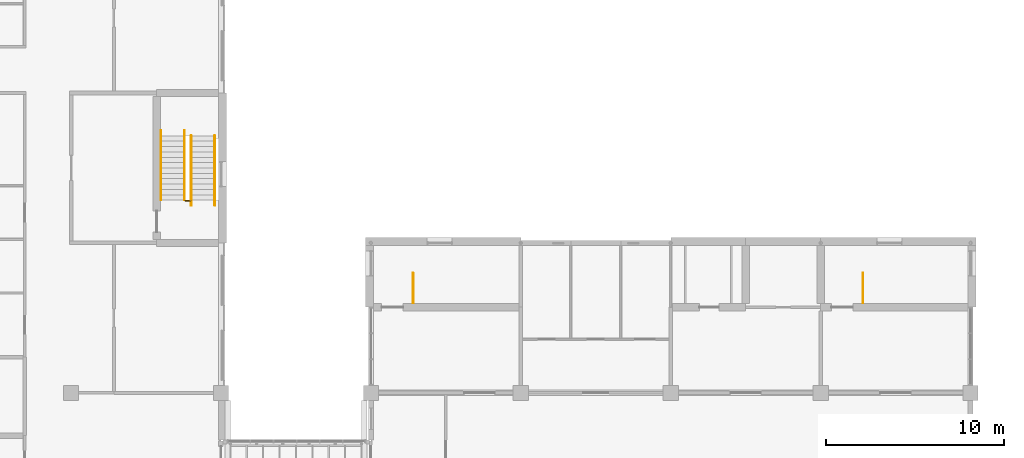
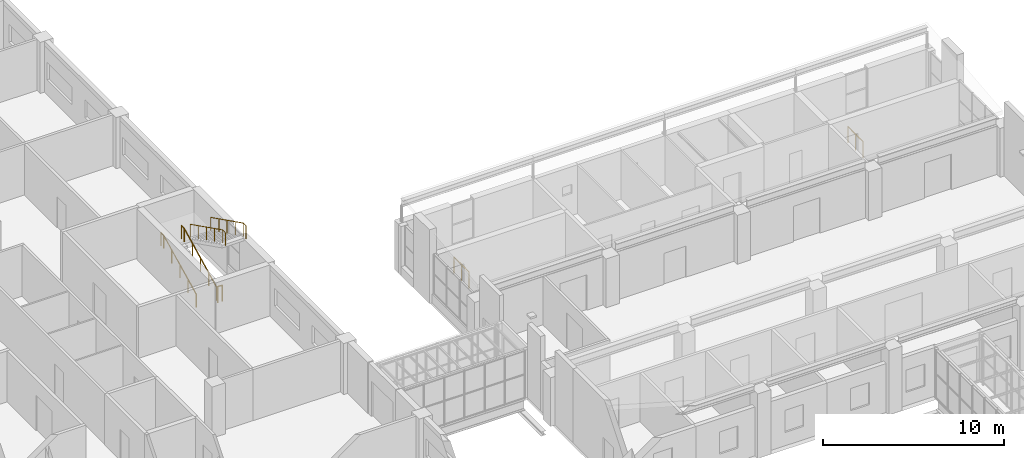
# One storey, part 89 of 94: 7 railings.
"""IFC4 building model written with IfcOpenShell, lengths in metres."""

from ifc_helpers import new_model, si_unit, direction, frame, origin, origin_2d, place, context, subcontext, project, spatial, circle, extrude, material, type_object, element, save


model = new_model("IFC4")

# Units and contexts
model_context = context("Model", 3, precision=1e-05, world=origin(), true_north=direction((0.0, 1.0)))
body_context = subcontext(model_context, "Body", "Model", "MODEL_VIEW")
ifc_project = project(units=[si_unit("LENGTHUNIT", "METRE"), si_unit("AREAUNIT", "SQUARE_METRE"), si_unit("VOLUMEUNIT", "CUBIC_METRE"), si_unit("PLANEANGLEUNIT", "RADIAN"), si_unit("MASSUNIT", "GRAM", prefix="KILO")], contexts=[model_context])

# Site, building, storey
site_placement = place(None, origin())
site = spatial("IfcSite", under=ifc_project, at=site_placement, CompositionType="ELEMENT")
building_placement = place(site_placement, origin())
building = spatial("IfcBuilding", under=site, at=building_placement, Name="Yavir Park General Hospital", CompositionType="ELEMENT")
storey_placement = place(building_placement, frame((0.0, 0.0, 4.5)))
storey = spatial("IfcBuildingStorey", under=building, at=storey_placement, Name="L01", CompositionType="ELEMENT", Elevation=4.5)

# Railings
ifc_material_1 = material(Name="Steel balustrade with infill rods", Category="steel")
railing_type_1 = type_object("IfcRailingType", Name="Stair guard, steel balustrade 1100 mm", PredefinedType="GUARDRAIL", material=ifc_material_1)
railing_placement = place(storey_placement, frame((23.199951171875, 77.969970703125, 0.0)))
element("IfcRailing", 1, at=railing_placement, inside=storey, type_object=railing_type_1, Name="Stair well guard SW2 L01", PredefinedType="GUARDRAIL", context=body_context, shape_type="SweptSolid", body=[
    extrude(circle(Radius=0.02392578125, at=origin_2d()), frame((0.0, 0.0, 1.076171875), z_axis=(1.0, 0.0, 0.0), x_axis=(0.0, 1.0, 0.0)), (0.0, 0.0, 1.0), 0.300048828125),
    extrude(circle(Radius=0.02099609375, at=origin_2d()), origin(), (0.0, 0.0, 1.0), 1.052001953125),
    extrude(circle(Radius=0.02099609375, at=origin_2d()), frame((0.300048828125, 0.0, 0.0)), (0.0, 0.0, 1.0), 1.052001953125),
])
for number, where, name in (
    (2, (35.969970703125, 72.22998046875, 0.0), "Stair well guard CS1 L01"),
    (3, (61.169921875, 72.22998046875, 0.0), "Stair well guard CS2 L01"),
):
    element("IfcRailing", number, at=place(storey_placement, frame(where)), inside=storey, type_object=railing_type_1, Name=name, PredefinedType="GUARDRAIL", context=body_context, shape_type="SweptSolid", body=[
        extrude(circle(Radius=0.02392578125, at=origin_2d()), frame((0.0, 0.0, 1.076171875), z_axis=(0.0, 1.0, 0.0), x_axis=(-1.0, 0.0, 0.0)), (0.0, 0.0, 1.0), 1.669921875),
        extrude(circle(Radius=0.02099609375, at=origin_2d()), origin(), (0.0, 0.0, 1.0), 1.052001953125),
        extrude(circle(Radius=0.02099609375, at=origin_2d()), frame((0.0, 0.8349609375, 0.0)), (0.0, 0.0, 1.0), 1.052001953125),
        extrude(circle(Radius=0.02099609375, at=origin_2d()), frame((0.0, 1.669921875, 0.0)), (0.0, 0.0, 1.0), 1.052001953125),
    ])
ifc_material_2 = material(Name="Stainless steel tube 48 mm", Category="steel")
railing_type_2 = type_object("IfcRailingType", Name="Stair handrail, steel tube, 900 mm above the nosings", PredefinedType="HANDRAIL", material=ifc_material_2)
for number, where, name in (
    (4, (21.840087890625, 78.0, 0.14990234375), "Handrail SW2 L01 1"),
    (5, (23.159912109375, 78.0, 0.14990234375), "Handrail SW2 L01 2"),
):
    element("IfcRailing", number, at=place(storey_placement, frame(where)), inside=storey, type_object=railing_type_2, Name=name, PredefinedType="HANDRAIL", context=body_context, shape_type="SweptSolid", body=[
        extrude(circle(Radius=0.02392578125, at=origin_2d()), frame((0.0, 0.0, 0.8759765625), z_axis=(0.0, 0.894427191, 0.4472135955), x_axis=(-1.0, 0.0, 0.0)), (0.0, 0.0, 1.0), 4.025146484375),
        extrude(circle(Radius=0.02392578125, at=origin_2d()), frame((0.0, 3.60009765625, 2.67578125), z_axis=(0.0, 1.0, 0.0), x_axis=(-1.0, 0.0, 0.0)), (0.0, 0.0, 1.0), 0.2998046875),
        extrude(circle(Radius=0.02099609375, at=origin_2d()), origin(), (0.0, 0.0, 1.0), 0.851806640625),
        extrude(circle(Radius=0.02099609375, at=origin_2d()), frame((0.0, 0.89990234375, 0.449951171875)), (0.0, 0.0, 1.0), 0.851806640625),
        extrude(circle(Radius=0.02099609375, at=origin_2d()), frame((0.0, 1.800048828125, 0.89990234375)), (0.0, 0.0, 1.0), 0.851806640625),
        extrude(circle(Radius=0.02099609375, at=origin_2d()), frame((0.0, 2.7001953125, 1.35009765625)), (0.0, 0.0, 1.0), 0.851806640625),
        extrude(circle(Radius=0.02099609375, at=origin_2d()), frame((0.0, 3.60009765625, 1.800048828125)), (0.0, 0.0, 1.0), 0.851806640625),
        extrude(circle(Radius=0.02099609375, at=origin_2d()), frame((0.0, 3.89990234375, 1.800048828125)), (0.0, 0.0, 1.0), 0.851806640625),
    ])
for number, where, name in (
    (6, (24.860107421875, 81.60009765625, 2.10009765625), "Handrail SW2 L01 3"),
    (7, (23.5400390625, 81.60009765625, 2.10009765625), "Handrail SW2 L01 4"),
):
    element("IfcRailing", number, at=place(storey_placement, frame(where)), inside=storey, type_object=railing_type_2, Name=name, PredefinedType="HANDRAIL", context=body_context, shape_type="SweptSolid", body=[
        extrude(circle(Radius=0.02392578125, at=origin_2d()), frame((0.0, 0.0, 0.8759765625), z_axis=(0.0, -0.894451452574, 0.447165069061), x_axis=(1.0, 0.0, 0.0)), (0.0, 0.0, 1.0), 4.02490234375),
        extrude(circle(Radius=0.02392578125, at=origin_2d()), frame((0.0, -3.60009765625, 2.67578125), z_axis=(0.0, -1.0, 0.0), x_axis=(1.0, 0.0, 0.0)), (0.0, 0.0, 1.0), 0.300048828125),
        extrude(circle(Radius=0.02099609375, at=origin_2d()), origin(), (0.0, 0.0, 1.0), 0.851806640625),
        extrude(circle(Radius=0.02099609375, at=origin_2d()), frame((0.0, -0.89990234375, 0.449951171875)), (0.0, 0.0, 1.0), 0.851806640625),
        extrude(circle(Radius=0.02099609375, at=origin_2d()), frame((0.0, -1.800048828125, 0.89990234375)), (0.0, 0.0, 1.0), 0.851806640625),
        extrude(circle(Radius=0.02099609375, at=origin_2d()), frame((0.0, -2.7001953125, 1.349853515625)), (0.0, 0.0, 1.0), 0.851806640625),
        extrude(circle(Radius=0.02099609375, at=origin_2d()), frame((0.0, -3.60009765625, 1.7998046875)), (0.0, 0.0, 1.0), 0.851806640625),
        extrude(circle(Radius=0.02099609375, at=origin_2d()), frame((0.0, -3.900146484375, 1.7998046875)), (0.0, 0.0, 1.0), 0.851806640625),
    ])

save(model, "model.ifc")
